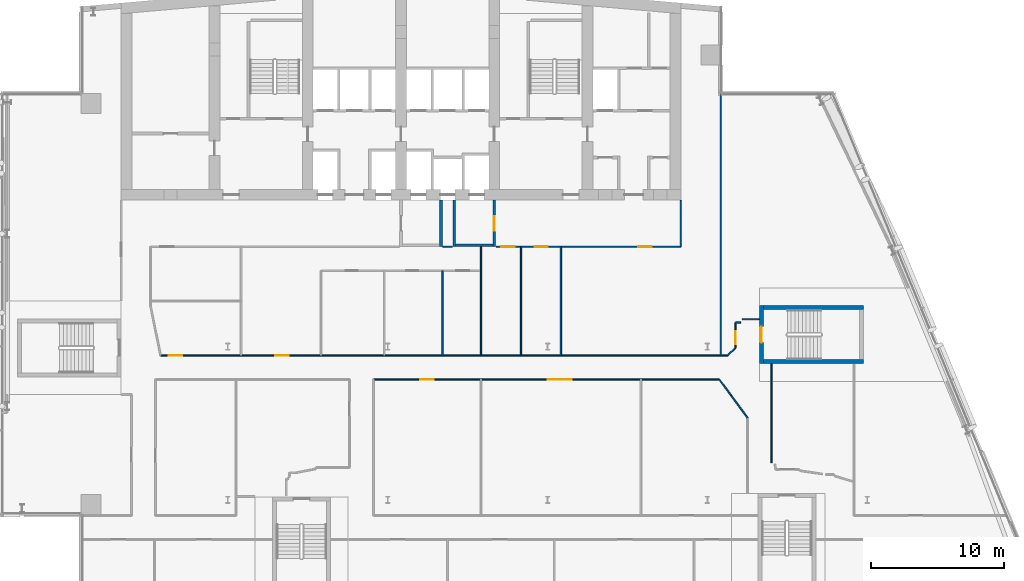
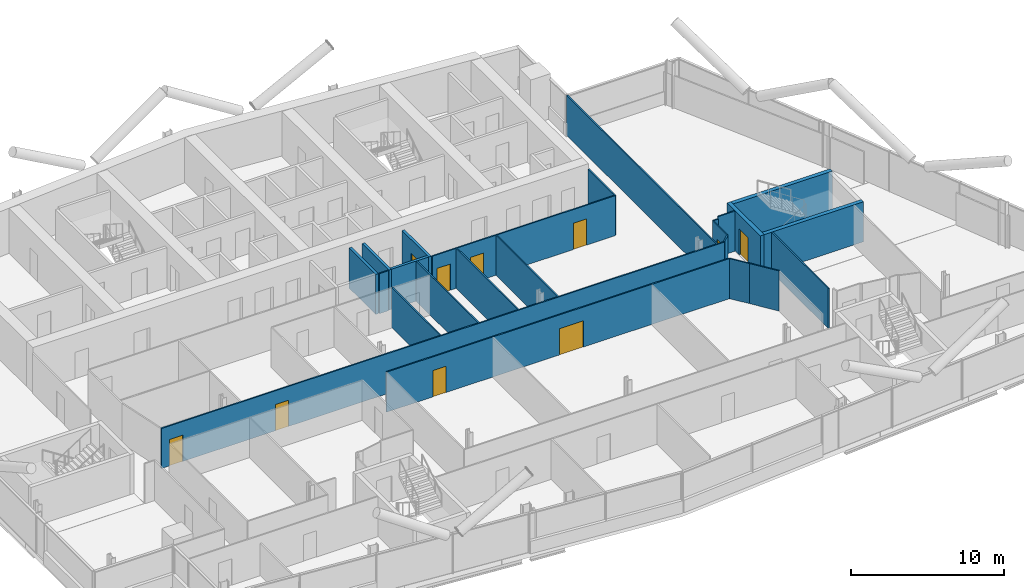
# One storey, part 17 of 27: 24 walls, 10 doors, 10 openings.
"""IFC4 building model written with IfcOpenShell, lengths in metres."""

from ifc_helpers import new_model, si_unit, direction, frame, frame_2d, origin, place, context, subcontext, project, spatial, rectangle, extrude, material, layer, layer_set, type_object, element, fill, save


model = new_model("IFC4")

# Units and contexts
model_context = context("Model", 3, precision=1e-05, world=origin(), true_north=direction((0.0, 1.0)))
body_context = subcontext(model_context, "Body", "Model", "MODEL_VIEW")
ifc_project = project(units=[si_unit("LENGTHUNIT", "METRE"), si_unit("AREAUNIT", "SQUARE_METRE"), si_unit("VOLUMEUNIT", "CUBIC_METRE"), si_unit("PLANEANGLEUNIT", "RADIAN"), si_unit("MASSUNIT", "GRAM", prefix="KILO")], contexts=[model_context])

# Site, building, storey
site_placement = place(None, origin())
site = spatial("IfcSite", under=ifc_project, at=site_placement, CompositionType="ELEMENT")
building_placement = place(site_placement, origin())
building = spatial("IfcBuilding", under=site, at=building_placement, Name="Wharfspan Tower", CompositionType="ELEMENT")
storey_placement = place(building_placement, frame((0.0, 0.0, 195.100098)))
storey = spatial("IfcBuildingStorey", under=building, at=storey_placement, Name="L48", CompositionType="ELEMENT", Elevation=195.100098)

# Wall, openings, doors
ifc_material_1 = material(Name="Gypsum board on steel studs", Category="steel")
ifc_layer_1 = layer(ifc_material_1, 0.100098)
ifc_layer_set_1 = layer_set([ifc_layer_1], Name="Gypsum board on steel studs")
wall_type_1 = type_object("IfcWallType", Name="Compartment wall 100 EI 60", PredefinedType="PARTITIONING", material=ifc_layer_set_1)
wall_1_placement = place(storey_placement, frame((18.955078, 22.340088, 0.0), z_axis=(0.0, 0.0, 1.0), x_axis=(1.0, 0.0, 0.0)))
wall_1 = element("IfcWall", 1, at=wall_1_placement, inside=storey, type_object=wall_type_1, Name="Partition L48.w018", PredefinedType="PARTITIONING", context=body_context, shape_type="SweptSolid", body=[
    extrude(rectangle(XDim=42.554932, YDim=0.100098, at=frame_2d((21.277344, 0.0))), origin(), (0.0, 0.0, 1.0), 3.199951),
])
opening_1_placement = place(wall_1_placement, frame((0.620117, 0.0, 0.0)))
opening_1 = element("IfcOpeningElement", 2, at=opening_1_placement, cuts=wall_1, Name="Opening C6-17", PredefinedType="OPENING", context=body_context, shape_type="SweptSolid", body=[
    extrude(rectangle(XDim=1.0, YDim=2.100098, at=frame_2d((0.5, 1.050049))), frame((0.0, 0.060059, 0.0), z_axis=(0.0, -1.0, 0.0), x_axis=(1.0, 0.0, 0.0)), (0.0, 0.0, 1.0), 0.120117),
])
opening_2_placement = place(wall_1_placement, frame((8.620117, 0.0, 0.0)))
opening_2 = element("IfcOpeningElement", 3, at=opening_2_placement, cuts=wall_1, Name="Opening C6-18", PredefinedType="OPENING", context=body_context, shape_type="SweptSolid", body=[
    extrude(rectangle(XDim=1.0, YDim=2.100098, at=frame_2d((0.5, 1.050049))), frame((0.0, 0.060059, 0.0), z_axis=(0.0, -1.0, 0.0), x_axis=(1.0, 0.0, 0.0)), (0.0, 0.0, 1.0), 0.120117),
])
ifc_material_2 = material(Name="Fire-rated timber door leaf in steel frame", Category="steel")
door_type_1 = type_object("IfcDoorType", Name="Door 1000 FD30S Left", OperationType="SINGLE_SWING_LEFT", PredefinedType="DOOR", material=ifc_material_2)
door_1_placement = place(opening_1_placement, origin())
door_1 = element("IfcDoor", 4, at=door_1_placement, inside=storey, type_object=door_type_1, Name="Door C6-17", OperationType="SINGLE_SWING_LEFT", OverallHeight=2.100098, OverallWidth=1.0, PredefinedType="DOOR", context=body_context, shape_type="SweptSolid", body=[
    extrude(rectangle(XDim=1.0, YDim=2.100098, at=frame_2d((0.5, 1.050049))), frame((0.0, 0.024902, 0.0), z_axis=(0.0, -1.0, 0.0), x_axis=(1.0, 0.0, 0.0)), (0.0, 0.0, 1.0), 0.050049),
])
fill(opening_1, door_1)
door_2_placement = place(opening_2_placement, origin())
door_2 = element("IfcDoor", 5, at=door_2_placement, inside=storey, type_object=door_type_1, Name="Door C6-18", OperationType="SINGLE_SWING_LEFT", OverallHeight=2.100098, OverallWidth=1.0, PredefinedType="DOOR", context=body_context, shape_type="SweptSolid", body=[
    extrude(rectangle(XDim=1.0, YDim=2.100098, at=frame_2d((0.5, 1.050049))), frame((0.0, 0.024902, 0.0), z_axis=(0.0, -1.0, 0.0), x_axis=(1.0, 0.0, 0.0)), (0.0, 0.0, 1.0), 0.050049),
])
fill(opening_2, door_2)

wall_2_placement = place(storey_placement, frame((34.945068, 20.534912, 0.0), z_axis=(0.0, 0.0, 1.0), x_axis=(1.0, 0.0, 0.0)))
wall_2 = element("IfcWall", 6, at=wall_2_placement, inside=storey, type_object=wall_type_1, Name="Partition L48.w037", PredefinedType="PARTITIONING", context=body_context, shape_type="SweptSolid", body=[
    extrude(rectangle(XDim=25.944824, YDim=0.100098, at=frame_2d((12.972412, 0.0))), origin(), (0.0, 0.0, 1.0), 3.199951),
])
opening_3_placement = place(wall_2_placement, frame((3.5, 0.0, 0.0)))
opening_3 = element("IfcOpeningElement", 7, at=opening_3_placement, cuts=wall_2, Name="Opening C6-15", PredefinedType="OPENING", context=body_context, shape_type="SweptSolid", body=[
    extrude(rectangle(XDim=1.0, YDim=2.100098, at=frame_2d((0.5, 1.050049))), frame((0.0, 0.060059, 0.0), z_axis=(0.0, -1.0, 0.0), x_axis=(1.0, 0.0, 0.0)), (0.0, 0.0, 1.0), 0.120117),
])
opening_4_placement = place(wall_2_placement, frame((13.074951, 0.0, 0.0)))
opening_4 = element("IfcOpeningElement", 8, at=opening_4_placement, cuts=wall_2, Name="Opening C6-16", PredefinedType="OPENING", context=body_context, shape_type="SweptSolid", body=[
    extrude(rectangle(XDim=1.800049, YDim=2.100098, at=frame_2d((0.899902, 1.050049))), frame((0.0, 0.060059, 0.0), z_axis=(0.0, -1.0, 0.0), x_axis=(1.0, 0.0, 0.0)), (0.0, 0.0, 1.0), 0.120117),
])
door_3_placement = place(opening_3_placement, origin())
door_3 = element("IfcDoor", 9, at=door_3_placement, inside=storey, type_object=door_type_1, Name="Door C6-15", OperationType="SINGLE_SWING_LEFT", OverallHeight=2.100098, OverallWidth=1.0, PredefinedType="DOOR", context=body_context, shape_type="SweptSolid", body=[
    extrude(rectangle(XDim=1.0, YDim=2.100098, at=frame_2d((0.5, 1.050049))), frame((0.0, 0.024902, 0.0), z_axis=(0.0, -1.0, 0.0), x_axis=(1.0, 0.0, 0.0)), (0.0, 0.0, 1.0), 0.050049),
])
fill(opening_3, door_3)
door_type_2 = type_object("IfcDoorType", Name="Door 1800 FD30S Double", OperationType="DOUBLE_DOOR_SINGLE_SWING", PredefinedType="DOOR", material=ifc_material_2)
door_4_placement = place(opening_4_placement, origin())
door_4 = element("IfcDoor", 10, at=door_4_placement, inside=storey, type_object=door_type_2, Name="Door C6-16", OperationType="DOUBLE_DOOR_SINGLE_SWING", OverallHeight=2.100098, OverallWidth=1.800049, PredefinedType="DOOR", context=body_context, shape_type="SweptSolid", body=[
    extrude(rectangle(XDim=1.800049, YDim=2.100098, at=frame_2d((0.899902, 1.050049))), frame((0.0, 0.024902, 0.0), z_axis=(0.0, -1.0, 0.0), x_axis=(1.0, 0.0, 0.0)), (0.0, 0.0, 1.0), 0.050049),
])
fill(opening_4, door_4)

# Walls
wall_3_placement = place(storey_placement, frame((40.120117, 22.340088, 0.0), z_axis=(0.0, 0.0, 1.0), x_axis=(0.0, 1.0, 0.0)))
element("IfcWall", 11, at=wall_3_placement, inside=storey, type_object=wall_type_1, Name="Partition L48.w041", PredefinedType="PARTITIONING", context=body_context, shape_type="SweptSolid", body=[
    extrude(rectangle(XDim=6.359863, YDim=0.100098, at=frame_2d((3.179932, 0.0))), origin(), (0.0, 0.0, 1.0), 3.199951),
])
wall_4_placement = place(storey_placement, frame((43.0, 22.340088, 0.0), z_axis=(0.0, 0.0, 1.0), x_axis=(0.0, 1.0, 0.0)))
element("IfcWall", 12, at=wall_4_placement, inside=storey, type_object=wall_type_1, Name="Partition L48.w044", PredefinedType="PARTITIONING", context=body_context, shape_type="SweptSolid", body=[
    extrude(rectangle(XDim=8.149902, YDim=0.100098, at=frame_2d((4.074951, 0.0))), origin(), (0.0, 0.0, 1.0), 3.199951),
])
for number, where, z_axis, x_axis, name in (
    (13, (46.0, 22.340088, 0.0), (0.0, 0.0, 1.0), (0.0, 1.0, 0.0), "Partition L48.w045"),
    (14, (49.0, 22.340088, 0.0), (0.0, 0.0, 1.0), (0.0, 1.0, 0.0), "Partition L48.w048"),
):
    element("IfcWall", number, at=place(storey_placement, frame(where, z_axis=z_axis, x_axis=x_axis)), inside=storey, type_object=wall_type_1, Name=name, PredefinedType="PARTITIONING", context=body_context, shape_type="SweptSolid", body=[
        extrude(rectangle(XDim=8.159912, YDim=0.100098, at=frame_2d((4.080078, 0.0))), origin(), (0.0, 0.0, 1.0), 3.199951),
    ])
wall_5_placement = place(storey_placement, frame((58.0, 30.5, 0.0), z_axis=(0.0, 0.0, 1.0), x_axis=(0.0, 1.0, 0.0)))
element("IfcWall", 15, at=wall_5_placement, inside=storey, type_object=wall_type_1, Name="Partition L48.w050", PredefinedType="PARTITIONING", context=body_context, shape_type="SweptSolid", body=[
    extrude(rectangle(XDim=3.47998, YDim=0.100098, at=frame_2d((1.73999, 0.0))), origin(), (0.0, 0.0, 1.0), 3.199951),
])
wall_6_placement = place(storey_placement, frame((61.0, 22.340088, 0.0), z_axis=(0.0, 0.0, 1.0), x_axis=(0.0, 1.0, 0.0)))
element("IfcWall", 16, at=wall_6_placement, inside=storey, type_object=wall_type_1, Name="Partition L48.w053", PredefinedType="PARTITIONING", context=body_context, shape_type="SweptSolid", body=[
    extrude(rectangle(XDim=19.639893, YDim=0.100098, at=frame_2d((9.819824, 0.0))), origin(), (0.0, 0.0, 1.0), 3.199951),
])
wall_7_placement = place(storey_placement, frame((61.540039, 22.370117, 0.0), z_axis=(0.0, 0.0, 1.0), x_axis=(0.72944, 0.684047, 0.0)))
element("IfcWall", 17, at=wall_7_placement, inside=storey, type_object=wall_type_1, Name="Partition L48.w054", PredefinedType="PARTITIONING", context=body_context, shape_type="SweptSolid", body=[
    extrude(rectangle(XDim=0.774414, YDim=0.100098, at=frame_2d((0.387207, 0.0))), origin(), (0.0, 0.0, 1.0), 3.199951),
])
wall_8_placement = place(storey_placement, frame((61.764893, 19.35498, 0.0), z_axis=(0.0, 0.0, 1.0), x_axis=(-0.595656, 0.803238, 0.0)))
element("IfcWall", 18, at=wall_8_placement, inside=storey, type_object=wall_type_1, Name="Partition L48.w056", PredefinedType="PARTITIONING", context=body_context, shape_type="SweptSolid", body=[
    extrude(rectangle(XDim=1.468994, YDim=0.100098, at=frame_2d((0.734375, 0.0))), origin(), (0.0, 0.0, 1.0), 3.199951),
])

# Wall, opening, door
wall_9_placement = place(storey_placement, frame((62.10498, 22.899902, 0.0), z_axis=(0.0, 0.0, 1.0), x_axis=(0.0, 1.0, 0.0)))
wall_9 = element("IfcWall", 19, at=wall_9_placement, inside=storey, type_object=wall_type_1, Name="Partition L48.w057", PredefinedType="PARTITIONING", context=body_context, shape_type="SweptSolid", body=[
    extrude(rectangle(XDim=1.900146, YDim=0.100098, at=frame_2d((0.950195, 0.0))), origin(), (0.0, 0.0, 1.0), 3.199951),
])
opening_5_placement = place(wall_9_placement, frame((0.269043, 0.0, 0.0)))
opening_5 = element("IfcOpeningElement", 20, at=opening_5_placement, cuts=wall_9, Name="Opening C6-19", PredefinedType="OPENING", context=body_context, shape_type="SweptSolid", body=[
    extrude(rectangle(XDim=1.0, YDim=2.100098, at=frame_2d((0.5, 1.050049))), frame((0.0, 0.060059, 0.0), z_axis=(0.0, -1.0, 0.0), x_axis=(1.0, 0.0, 0.0)), (0.0, 0.0, 1.0), 0.120117),
])
door_5_placement = place(opening_5_placement, origin())
door_5 = element("IfcDoor", 21, at=door_5_placement, inside=storey, type_object=door_type_1, Name="Door C6-19", OperationType="SINGLE_SWING_LEFT", OverallHeight=2.100098, OverallWidth=1.0, PredefinedType="DOOR", context=body_context, shape_type="SweptSolid", body=[
    extrude(rectangle(XDim=1.0, YDim=2.100098, at=frame_2d((0.5, 1.050049))), frame((0.0, 0.024902, 0.0), z_axis=(0.0, -1.0, 0.0), x_axis=(1.0, 0.0, 0.0)), (0.0, 0.0, 1.0), 0.050049),
])
fill(opening_5, door_5)

# Walls
wall_10_placement = place(storey_placement, frame((62.10498, 24.800049, 0.0), z_axis=(0.0, 0.0, 1.0), x_axis=(1.0, 0.0, 0.0)))
element("IfcWall", 22, at=wall_10_placement, inside=storey, type_object=wall_type_1, Name="Partition L48.w058", PredefinedType="PARTITIONING", context=body_context, shape_type="SweptSolid", body=[
    extrude(rectangle(XDim=0.380127, YDim=0.100098, at=frame_2d((0.189941, 0.0))), origin(), (0.0, 0.0, 1.0), 3.199951),
])
wall_11_placement = place(storey_placement, frame((62.60498, 25.050049, 0.0), z_axis=(0.0, 0.0, 1.0), x_axis=(1.0, 0.0, 0.0)))
element("IfcWall", 23, at=wall_11_placement, inside=storey, type_object=wall_type_1, Name="Partition L48.w059", PredefinedType="PARTITIONING", context=body_context, shape_type="SweptSolid", body=[
    extrude(rectangle(XDim=1.279541, YDim=0.100098, at=frame_2d((0.639648, 0.0))), origin(), (0.0, 0.0, 1.0), 3.199951),
])
wall_12_placement = place(storey_placement, frame((63.004883, 17.669922, 0.0), z_axis=(0.0, 0.0, 1.0), x_axis=(-0.592694, 0.805429, 0.0)))
element("IfcWall", 24, at=wall_12_placement, inside=storey, type_object=wall_type_1, Name="Partition L48.w060", PredefinedType="PARTITIONING", context=body_context, shape_type="SweptSolid", body=[
    extrude(rectangle(XDim=2.092041, YDim=0.100098, at=frame_2d((1.045898, 0.0))), origin(), (0.0, 0.0, 1.0), 3.199951),
])
wall_13_placement = place(storey_placement, frame((64.804932, 14.304932, 0.0), z_axis=(0.0, 0.0, 1.0), x_axis=(0.0, 1.0, 0.0)))
element("IfcWall", 25, at=wall_13_placement, inside=storey, type_object=wall_type_1, Name="Partition L48.w062", PredefinedType="PARTITIONING", context=body_context, shape_type="SweptSolid", body=[
    extrude(rectangle(XDim=7.420166, YDim=0.100098, at=frame_2d((3.709961, 0.0))), origin(), (0.0, 0.0, 1.0), 3.199951),
])
wall_14_placement = place(storey_placement, frame((40.149902, 30.5, 0.0), z_axis=(0.0, 0.0, 1.0), x_axis=(1.0, 0.0, 0.0)))
element("IfcWall", 26, at=wall_14_placement, inside=storey, type_object=wall_type_1, Name="Partition L48.w011 (2)", PredefinedType="PARTITIONING", context=body_context, shape_type="SweptSolid", body=[
    extrude(rectangle(XDim=0.700195, YDim=0.100098, at=frame_2d((0.350098, 0.0))), origin(), (0.0, 0.0, 1.0), 3.199951),
])

# Wall, openings, doors
wall_15_placement = place(storey_placement, frame((44.149902, 30.5, 0.0), z_axis=(0.0, 0.0, 1.0), x_axis=(1.0, 0.0, 0.0)))
wall_15 = element("IfcWall", 27, at=wall_15_placement, inside=storey, type_object=wall_type_1, Name="Partition L48.w011 (3)", PredefinedType="PARTITIONING", context=body_context, shape_type="SweptSolid", body=[
    extrude(rectangle(XDim=13.850098, YDim=0.100098, at=frame_2d((6.925049, 0.0))), origin(), (0.0, 0.0, 1.0), 3.199951),
])
opening_6_placement = place(wall_15_placement, frame((0.370117, 0.0, 0.0)))
opening_6 = element("IfcOpeningElement", 28, at=opening_6_placement, cuts=wall_15, Name="Opening C6-25", PredefinedType="OPENING", context=body_context, shape_type="SweptSolid", body=[
    extrude(rectangle(XDim=1.0, YDim=2.100098, at=frame_2d((0.5, 1.050049))), frame((0.0, 0.060059, 0.0), z_axis=(0.0, -1.0, 0.0), x_axis=(1.0, 0.0, 0.0)), (0.0, 0.0, 1.0), 0.120117),
])
opening_7_placement = place(wall_15_placement, frame((2.870117, 0.0, 0.0)))
opening_7 = element("IfcOpeningElement", 29, at=opening_7_placement, cuts=wall_15, Name="Opening C6-26", PredefinedType="OPENING", context=body_context, shape_type="SweptSolid", body=[
    extrude(rectangle(XDim=1.0, YDim=2.100098, at=frame_2d((0.5, 1.050049))), frame((0.0, 0.060059, 0.0), z_axis=(0.0, -1.0, 0.0), x_axis=(1.0, 0.0, 0.0)), (0.0, 0.0, 1.0), 0.120117),
])
opening_8_placement = place(wall_15_placement, frame((10.669922, 0.0, 0.0)))
opening_8 = element("IfcOpeningElement", 30, at=opening_8_placement, cuts=wall_15, Name="Opening C6-27", PredefinedType="OPENING", context=body_context, shape_type="SweptSolid", body=[
    extrude(rectangle(XDim=1.0, YDim=2.100098, at=frame_2d((0.5, 1.050049))), frame((0.0, 0.060059, 0.0), z_axis=(0.0, -1.0, 0.0), x_axis=(1.0, 0.0, 0.0)), (0.0, 0.0, 1.0), 0.120117),
])
door_type_3 = type_object("IfcDoorType", Name="Door 1000 FD30S Right", OperationType="SINGLE_SWING_RIGHT", PredefinedType="DOOR", material=ifc_material_2)
door_6_placement = place(opening_6_placement, origin())
door_6 = element("IfcDoor", 31, at=door_6_placement, inside=storey, type_object=door_type_3, Name="Door C6-25", OperationType="SINGLE_SWING_RIGHT", OverallHeight=2.100098, OverallWidth=1.0, PredefinedType="DOOR", context=body_context, shape_type="SweptSolid", body=[
    extrude(rectangle(XDim=1.0, YDim=2.100098, at=frame_2d((0.5, 1.050049))), frame((0.0, 0.024902, 0.0), z_axis=(0.0, -1.0, 0.0), x_axis=(1.0, 0.0, 0.0)), (0.0, 0.0, 1.0), 0.050049),
])
fill(opening_6, door_6)
door_7_placement = place(opening_7_placement, origin())
door_7 = element("IfcDoor", 32, at=door_7_placement, inside=storey, type_object=door_type_3, Name="Door C6-26", OperationType="SINGLE_SWING_RIGHT", OverallHeight=2.100098, OverallWidth=1.0, PredefinedType="DOOR", context=body_context, shape_type="SweptSolid", body=[
    extrude(rectangle(XDim=1.0, YDim=2.100098, at=frame_2d((0.5, 1.050049))), frame((0.0, 0.024902, 0.0), z_axis=(0.0, -1.0, 0.0), x_axis=(1.0, 0.0, 0.0)), (0.0, 0.0, 1.0), 0.050049),
])
fill(opening_7, door_7)
door_8_placement = place(opening_8_placement, origin())
door_8 = element("IfcDoor", 33, at=door_8_placement, inside=storey, type_object=door_type_3, Name="Door C6-27", OperationType="SINGLE_SWING_RIGHT", OverallHeight=2.100098, OverallWidth=1.0, PredefinedType="DOOR", context=body_context, shape_type="SweptSolid", body=[
    extrude(rectangle(XDim=1.0, YDim=2.100098, at=frame_2d((0.5, 1.050049))), frame((0.0, 0.024902, 0.0), z_axis=(0.0, -1.0, 0.0), x_axis=(1.0, 0.0, 0.0)), (0.0, 0.0, 1.0), 0.050049),
])
fill(opening_8, door_8)

# Walls
ifc_material_3 = material(Name="Concrete C30/37", Category="concrete")
ifc_layer_2 = layer(ifc_material_3, 0.199951)
ifc_layer_set_2 = layer_set([ifc_layer_2], Name="Concrete C30/37")
wall_type_2 = type_object("IfcWallType", Name="Lobby wall 200", PredefinedType="PARTITIONING", material=ifc_layer_set_2)
for number, where, z_axis, x_axis, name in (
    (34, (40.0, 30.5, 0.0), (0.0, 0.0, 1.0), (0.0, 1.0, 0.0), "sw:L48:FLFF1E"),
    (35, (41.0, 30.5, 0.0), (0.0, 0.0, 1.0), (0.0, 1.0, 0.0), "sw:L48:FLFF2W"),
):
    element("IfcWall", number, at=place(storey_placement, frame(where, z_axis=z_axis, x_axis=x_axis)), inside=storey, type_object=wall_type_2, Name=name, PredefinedType="PARTITIONING", context=body_context, shape_type="SweptSolid", body=[
        extrude(rectangle(XDim=3.5, YDim=0.199951, at=frame_2d((1.75, 0.0))), origin(), (0.0, 0.0, 1.0), 3.199951),
    ])

# Wall, opening, door
wall_16_placement = place(storey_placement, frame((44.0, 30.5, 0.0), z_axis=(0.0, 0.0, 1.0), x_axis=(0.0, 1.0, 0.0)))
wall_16 = element("IfcWall", 36, at=wall_16_placement, inside=storey, type_object=wall_type_2, Name="sw:L48:FLFF2E", PredefinedType="PARTITIONING", context=body_context, shape_type="SweptSolid", body=[
    extrude(rectangle(XDim=3.5, YDim=0.199951, at=frame_2d((1.75, 0.0))), origin(), (0.0, 0.0, 1.0), 3.199951),
])
opening_9_placement = place(wall_16_placement, frame((1.199951, 0.0, 0.0)))
opening_9 = element("IfcOpeningElement", 37, at=opening_9_placement, cuts=wall_16, Name="Opening FL.FF2.L48", PredefinedType="OPENING", context=body_context, shape_type="SweptSolid", body=[
    extrude(rectangle(XDim=1.100098, YDim=2.100098, at=frame_2d((0.550049, 1.050049))), frame((0.0, 0.109863, 0.0), z_axis=(0.0, -1.0, 0.0), x_axis=(1.0, 0.0, 0.0)), (0.0, 0.0, 1.0), 0.219971),
])
ifc_material_4 = material(Name="Steel door leaf", Category="steel")
door_type_4 = type_object("IfcDoorType", Name="Firefighting lobby door 1100x2100", OperationType="SINGLE_SWING_LEFT", PredefinedType="DOOR", material=ifc_material_4)
door_9_placement = place(opening_9_placement, origin())
door_9 = element("IfcDoor", 38, at=door_9_placement, inside=storey, type_object=door_type_4, Name="fd:L48:FF2", OperationType="SINGLE_SWING_LEFT", OverallHeight=2.100098, OverallWidth=1.100098, PredefinedType="DOOR", context=body_context, shape_type="SweptSolid", body=[
    extrude(rectangle(XDim=1.100098, YDim=2.100098, at=frame_2d((0.550049, 1.050049))), frame((0.0, 0.024902, 0.0), z_axis=(0.0, -1.0, 0.0), x_axis=(1.0, 0.0, 0.0)), (0.0, 0.0, 1.0), 0.050049),
])
fill(opening_9, door_9)

# Wall
wall_17_placement = place(storey_placement, frame((41.100098, 30.600098, 0.0), z_axis=(0.0, 0.0, 1.0), x_axis=(1.0, 0.0, 0.0)))
element("IfcWall", 39, at=wall_17_placement, inside=storey, type_object=wall_type_2, Name="sw:L48:FLFF2F", PredefinedType="PARTITIONING", context=body_context, shape_type="SweptSolid", body=[
    extrude(rectangle(XDim=2.799805, YDim=0.199951, at=frame_2d((1.399902, 0.0))), origin(), (0.0, 0.0, 1.0), 3.199951),
])

# Wall, opening, door
ifc_material_5 = material(Name="Concrete C40/50", Category="concrete")
ifc_layer_3 = layer(ifc_material_5, 0.300049)
ifc_layer_set_3 = layer_set([ifc_layer_3], Name="Concrete C40/50")
wall_type_3 = type_object("IfcWallType", Name="Stair core wall 300", PredefinedType="SHEAR", material=ifc_layer_set_3)
wall_18_placement = place(storey_placement, frame((64.054688, 21.725098, 0.0), z_axis=(0.0, 0.0, 1.0), x_axis=(0.0, 1.0, 0.0)))
wall_18 = element("IfcWall", 40, at=wall_18_placement, inside=storey, type_object=wall_type_3, Name="ST6 stair enclosure wall L48", PredefinedType="SHEAR", context=body_context, shape_type="SweptSolid", body=[
    extrude(rectangle(XDim=4.349854, YDim=0.300049, at=frame_2d((2.174805, 0.0))), origin(), (0.0, 0.0, 1.0), 3.199951),
])
opening_10_placement = place(wall_18_placement, frame((1.574951, 0.0, 0.0)))
opening_10 = element("IfcOpeningElement", 41, at=opening_10_placement, cuts=wall_18, Name="Opening SD6.L48", PredefinedType="OPENING", context=body_context, shape_type="SweptSolid", body=[
    extrude(rectangle(XDim=1.199951, YDim=2.100098, at=frame_2d((0.600098, 1.050049))), frame((0.0, 0.159912, 0.0), z_axis=(0.0, -1.0, 0.0), x_axis=(1.0, 0.0, 0.0)), (0.0, 0.0, 1.0), 0.320068),
])
door_type_5 = type_object("IfcDoorType", Name="Stair door 1200x2100", OperationType="SINGLE_SWING_LEFT", PredefinedType="DOOR", material=ifc_material_4)
door_10_placement = place(opening_10_placement, origin())
door_10 = element("IfcDoor", 42, at=door_10_placement, inside=storey, type_object=door_type_5, Name="sd:L48:ST6z3", OperationType="SINGLE_SWING_RIGHT", OverallHeight=2.100098, OverallWidth=1.199951, PredefinedType="DOOR", context=body_context, shape_type="SweptSolid", body=[
    extrude(rectangle(XDim=1.199951, YDim=2.100098, at=frame_2d((0.600098, 1.050049))), frame((0.0, 0.024902, 0.0), z_axis=(0.0, -1.0, 0.0), x_axis=(1.0, 0.0, 0.0)), (0.0, 0.0, 1.0), 0.050049),
])
fill(opening_10, door_10)

# Walls
for number, where, z_axis, x_axis, name in (
    (43, (64.20459, 21.875, 0.0), (0.0, 0.0, 1.0), (1.0, 0.0, 0.0), "ST6 stair enclosure wall L48"),
    (44, (64.20459, 25.925049, 0.0), (0.0, 0.0, 1.0), (1.0, 0.0, 0.0), "ST6 stair enclosure wall L48"),
):
    element("IfcWall", number, at=place(storey_placement, frame(where, z_axis=z_axis, x_axis=x_axis)), inside=storey, type_object=wall_type_3, Name=name, PredefinedType="SHEAR", context=body_context, shape_type="SweptSolid", body=[
        extrude(rectangle(XDim=7.5, YDim=0.300049, at=frame_2d((3.75, 0.0))), origin(), (0.0, 0.0, 1.0), 3.199951),
    ])

save(model, "model.ifc")
